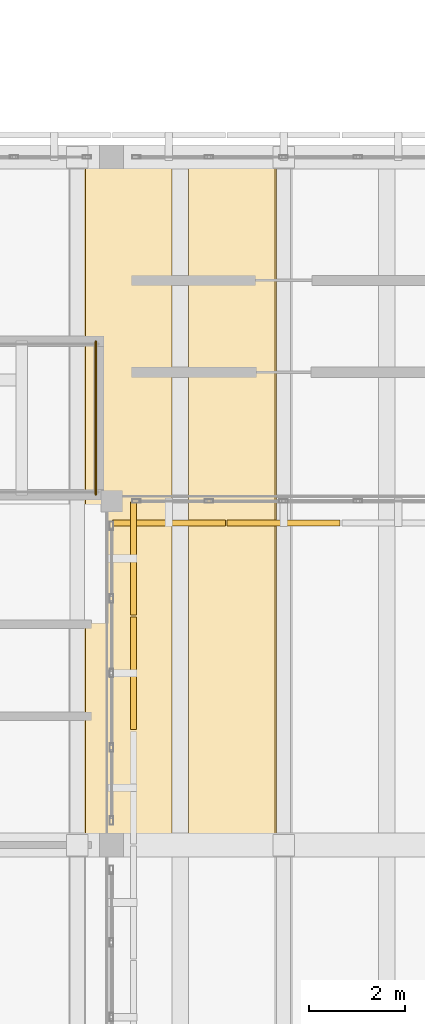
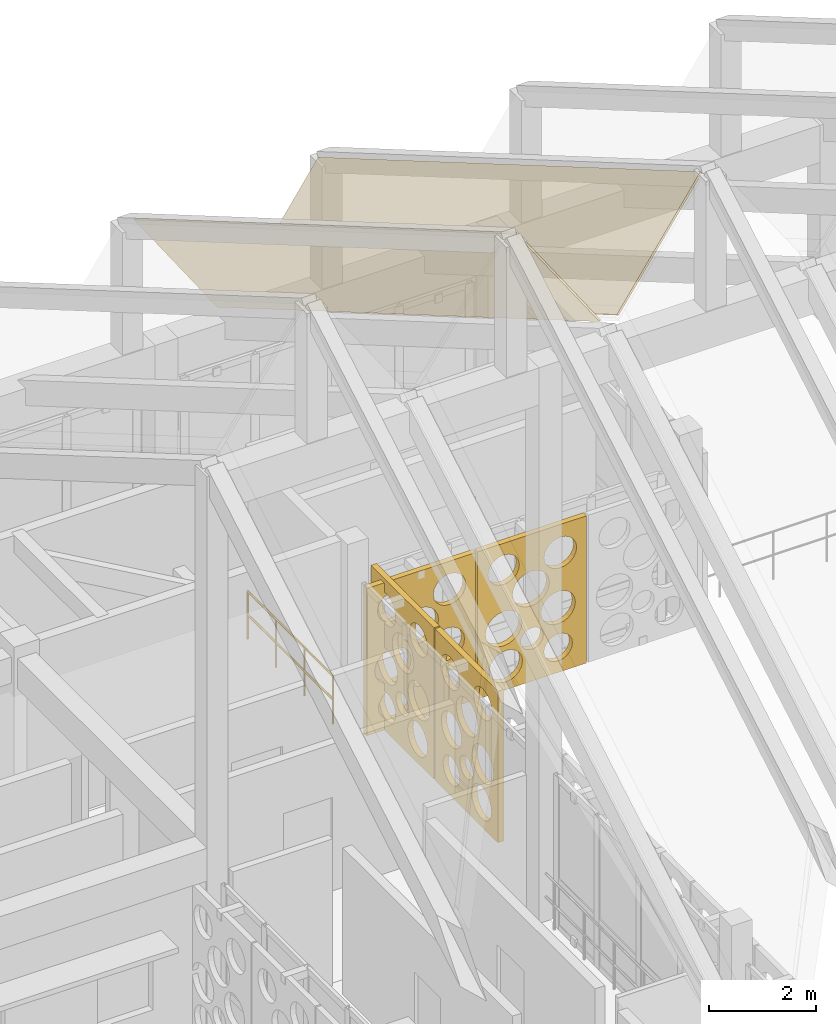
# One storey, part 157 of 171: 6 coverings, 1 railing.
"""IFC4 building model written with IfcOpenShell, lengths in metres."""

from ifc_helpers import new_model, si_unit, direction, frame, origin, origin_2d, place, context, subcontext, project, spatial, polyline, circle, outline, extrude, material, layer, layer_set, type_object, element, save


model = new_model("IFC4")

# Units and contexts
model_context = context("Model", 3, precision=1e-05, world=origin(), true_north=direction((0.0, 1.0)))
body_context = subcontext(model_context, "Body", "Model", "MODEL_VIEW")
ifc_project = project(units=[si_unit("LENGTHUNIT", "METRE"), si_unit("AREAUNIT", "SQUARE_METRE"), si_unit("VOLUMEUNIT", "CUBIC_METRE"), si_unit("PLANEANGLEUNIT", "RADIAN"), si_unit("MASSUNIT", "GRAM", prefix="KILO")], contexts=[model_context])

# Site, building, storey
site_placement = place(None, origin())
site = spatial("IfcSite", under=ifc_project, at=site_placement, CompositionType="ELEMENT")
building_placement = place(site_placement, origin())
building = spatial("IfcBuilding", under=site, at=building_placement, Name="Aldebral Square Health Centre", CompositionType="ELEMENT")
storey_placement = place(building_placement, frame((0.0, 0.0, 4.5)))
storey = spatial("IfcBuildingStorey", under=building, at=storey_placement, Name="L01", CompositionType="ELEMENT", Elevation=4.5)

# Coverings
ifc_material_1 = material(Name="Insulated mineral standing-seam roofing")
ifc_layer_1 = layer(ifc_material_1, 0.0400390625, Name="Insulated mineral standing-seam roofing")
ifc_layer_set_1 = layer_set([ifc_layer_1], Name="Insulated mineral standing-seam roofing")
covering_type_1 = type_object("IfcCoveringType", Name="COV-RF-40", PredefinedType="ROOFING", material=ifc_layer_set_1)
covering_1_placement = place(storey_placement, frame((73.264892578125, 100.800048828125, 4.735595703125), z_axis=(0.783166464322, 0.313311395424, 0.537109168288), x_axis=(-0.565586180238, 0.0, 0.824689197652)))
element("IfcCovering", 1, at=covering_1_placement, inside=storey, type_object=covering_type_1, Name="Waiting Hall folded-plate roof bay 2 NE standing-seam roofing", PredefinedType="ROOFING", context=body_context, shape_type="SweptSolid", body=[
    extrude(outline(polyline([(0.0, 0.0), (3.19989157507911, 0.0), (10.098408659831637, 15.100385570024905), (6.898517084752526, 15.100385570024907), (0.0, 0.0)])), origin(), (0.0, 0.0, -1.0), 0.0400390625),
])
covering_2_placement = place(storey_placement, frame((75.425048828125, 100.800048828125, 7.37451171875), z_axis=(-0.783125616046, 0.3133373167, 0.537153605085), x_axis=(-0.565638067086, 0.0, -0.82465361035)))
element("IfcCovering", 2, at=covering_2_placement, inside=storey, type_object=covering_type_1, Name="Waiting Hall folded-plate roof bay 3 NW standing-seam roofing", PredefinedType="ROOFING", context=body_context, shape_type="SweptSolid", body=[
    extrude(outline(polyline([(0.0, 0.0), (3.2000296639766255, -5.551115123125783e-17), (-3.6981897333421103, 15.100521563128028), (-6.898219397318735, 15.100521563128028), (0.0, 0.0)])), origin(), (0.0, 0.0, -1.0), 0.0400390625),
])
ifc_material_2 = material(Name="Cream cantera perforated stone screen", Category="masonry")
ifc_layer_2 = layer(ifc_material_2, 0.1201171875, Name="Cream cantera perforated stone screen", Category="masonry")
ifc_layer_set_2 = layer_set([ifc_layer_2], Name="Cream cantera perforated stone screen")
covering_type_2 = type_object("IfcCoveringType", Name="COV-SCR-120", PredefinedType="CLADDING", material=ifc_layer_set_2)
covering_3_placement = place(storey_placement, frame((72.4599609375, 88.820068359375, 0.0), z_axis=(0.0, 0.0, 1.0), x_axis=(0.0, 1.0, 0.0)))
element("IfcCovering", 3, at=covering_3_placement, inside=storey, type_object=covering_type_2, Name="L01 V1 circular-aperture stone screen L01-V1-09-12-E.2", PredefinedType="CLADDING", context=body_context, shape_type="SweptSolid", body=[
    extrude(outline(polyline([(0.0, 0.0), (2.35986328125, 0.0), (2.35986328125, 3.469970703125), (0.0, 3.469970703125), (0.0, 0.0)]), holes=[polyline([(0.98486328125, 0.55517578125), (0.966552734375, 0.4404296875), (0.913818359375, 0.3369140625), (0.831787109375, 0.2548828125), (0.728271484375, 0.2021484375), (0.613525390625, 0.18408203125), (0.498779296875, 0.2021484375), (0.3955078125, 0.2548828125), (0.313232421875, 0.3369140625), (0.260498046875, 0.4404296875), (0.242431640625, 0.55517578125), (0.260498046875, 0.669921875), (0.313232421875, 0.7734375), (0.3955078125, 0.85546875), (0.498779296875, 0.908203125), (0.613525390625, 0.926513671875), (0.728271484375, 0.908203125), (0.831787109375, 0.85546875), (0.913818359375, 0.7734375), (0.966552734375, 0.669921875), (0.98486328125, 0.55517578125)]), polyline([(2.059326171875, 0.58984375), (2.0439453125, 0.4931640625), (1.99951171875, 0.406005859375), (1.930419921875, 0.336669921875), (1.843017578125, 0.292236328125), (1.746337890625, 0.277099609375), (1.649658203125, 0.292236328125), (1.5625, 0.336669921875), (1.4931640625, 0.406005859375), (1.44873046875, 0.4931640625), (1.43359375, 0.58984375), (1.44873046875, 0.6865234375), (1.4931640625, 0.77392578125), (1.5625, 0.843017578125), (1.649658203125, 0.887451171875), (1.746337890625, 0.90283203125), (1.843017578125, 0.887451171875), (1.930419921875, 0.843017578125), (1.99951171875, 0.77392578125), (2.0439453125, 0.6865234375), (2.059326171875, 0.58984375)]), polyline([(0.970703125, 1.45751953125), (0.950927734375, 1.33251953125), (0.8935546875, 1.2197265625), (0.803955078125, 1.13037109375), (0.69140625, 1.072998046875), (0.56640625, 1.052978515625), (0.44140625, 1.072998046875), (0.328857421875, 1.13037109375), (0.2392578125, 1.2197265625), (0.181884765625, 1.33251953125), (0.162109375, 1.45751953125), (0.181884765625, 1.582275390625), (0.2392578125, 1.695068359375), (0.328857421875, 1.784423828125), (0.44140625, 1.841796875), (0.56640625, 1.86181640625), (0.69140625, 1.841796875), (0.803955078125, 1.784423828125), (0.8935546875, 1.695068359375), (0.950927734375, 1.582275390625), (0.970703125, 1.45751953125)]), polyline([(2.124267578125, 1.52685546875), (2.105712890625, 1.41015625), (2.052001953125, 1.3046875), (1.968505859375, 1.22119140625), (1.863037109375, 1.16748046875), (1.746337890625, 1.14892578125), (1.629638671875, 1.16748046875), (1.5244140625, 1.22119140625), (1.440673828125, 1.3046875), (1.38720703125, 1.41015625), (1.36865234375, 1.52685546875), (1.38720703125, 1.6435546875), (1.440673828125, 1.748779296875), (1.5244140625, 1.83251953125), (1.629638671875, 1.88623046875), (1.746337890625, 1.904541015625), (1.863037109375, 1.88623046875), (1.968505859375, 1.83251953125), (2.052001953125, 1.748779296875), (2.105712890625, 1.6435546875), (2.124267578125, 1.52685546875)]), polyline([(1.42431640625, 1.00634765625), (1.412353515625, 0.9306640625), (1.377685546875, 0.862548828125), (1.32373046875, 0.80859375), (1.255615234375, 0.77392578125), (1.179931640625, 0.761962890625), (1.1044921875, 0.77392578125), (1.036376953125, 0.80859375), (0.982177734375, 0.862548828125), (0.947509765625, 0.9306640625), (0.935546875, 1.00634765625), (0.947509765625, 1.081787109375), (0.982177734375, 1.14990234375), (1.036376953125, 1.2041015625), (1.1044921875, 1.23876953125), (1.179931640625, 1.250732421875), (1.255615234375, 1.23876953125), (1.32373046875, 1.2041015625), (1.377685546875, 1.14990234375), (1.412353515625, 1.081787109375), (1.42431640625, 1.00634765625)]), polyline([(1.563232421875, 2.18603515625), (1.54345703125, 2.060302734375), (1.485595703125, 1.947021484375), (1.3955078125, 1.85693359375), (1.2822265625, 1.799072265625), (1.156494140625, 1.779296875), (1.03076171875, 1.799072265625), (0.917236328125, 1.85693359375), (0.8271484375, 1.947021484375), (0.76953125, 2.060302734375), (0.74951171875, 2.18603515625), (0.76953125, 2.311767578125), (0.8271484375, 2.42529296875), (0.917236328125, 2.515380859375), (1.03076171875, 2.572998046875), (1.156494140625, 2.593017578125), (1.2822265625, 2.572998046875), (1.3955078125, 2.515380859375), (1.485595703125, 2.42529296875), (1.54345703125, 2.311767578125), (1.563232421875, 2.18603515625)]), polyline([(0.9091796875, 2.845458984375), (0.892333984375, 2.739501953125), (0.84375, 2.64404296875), (0.767822265625, 2.568115234375), (0.67236328125, 2.51953125), (0.56640625, 2.502685546875), (0.46044921875, 2.51953125), (0.364990234375, 2.568115234375), (0.2890625, 2.64404296875), (0.240478515625, 2.739501953125), (0.2236328125, 2.845458984375), (0.240478515625, 2.951416015625), (0.2890625, 3.046875), (0.364990234375, 3.12255859375), (0.46044921875, 3.17138671875), (0.56640625, 3.18798828125), (0.67236328125, 3.17138671875), (0.767822265625, 3.12255859375), (0.84375, 3.046875), (0.892333984375, 2.951416015625), (0.9091796875, 2.845458984375)]), polyline([(2.1513671875, 2.810791015625), (2.1337890625, 2.7001953125), (2.0830078125, 2.600341796875), (2.00390625, 2.521240234375), (1.904052734375, 2.470458984375), (1.793701171875, 2.452880859375), (1.68310546875, 2.470458984375), (1.583251953125, 2.521240234375), (1.504150390625, 2.600341796875), (1.453369140625, 2.7001953125), (1.435791015625, 2.810791015625), (1.453369140625, 2.921142578125), (1.504150390625, 3.02099609375), (1.583251953125, 3.10009765625), (1.68310546875, 3.15087890625), (1.793701171875, 3.16845703125), (1.904052734375, 3.15087890625), (2.00390625, 3.10009765625), (2.0830078125, 3.02099609375), (2.1337890625, 2.921142578125), (2.1513671875, 2.810791015625)])]), frame((0.0, 0.06005859375, 0.0), z_axis=(0.0, -1.0, 0.0), x_axis=(1.0, 0.0, 0.0)), (0.0, 0.0, 1.0), 0.1201171875),
])
covering_4_placement = place(storey_placement, frame((72.4599609375, 91.219970703125, 0.0), z_axis=(0.0, 0.0, 1.0), x_axis=(0.0, 1.0, 0.0)))
element("IfcCovering", 4, at=covering_4_placement, inside=storey, type_object=covering_type_2, Name="L01 V1 circular-aperture stone screen L01-V1-09-12-E.3", PredefinedType="CLADDING", context=body_context, shape_type="SweptSolid", body=[
    extrude(outline(polyline([(0.0, 0.0), (2.360107421875, 0.0), (2.360107421875, 3.469970703125), (0.0, 3.469970703125), (0.0, 0.0)]), holes=[polyline([(0.98486328125, 0.55517578125), (0.966552734375, 0.4404296875), (0.913818359375, 0.3369140625), (0.831787109375, 0.2548828125), (0.728271484375, 0.2021484375), (0.613525390625, 0.18408203125), (0.498779296875, 0.2021484375), (0.3955078125, 0.2548828125), (0.313232421875, 0.3369140625), (0.260498046875, 0.4404296875), (0.242431640625, 0.55517578125), (0.260498046875, 0.669921875), (0.313232421875, 0.7734375), (0.3955078125, 0.85546875), (0.498779296875, 0.908203125), (0.613525390625, 0.926513671875), (0.728271484375, 0.908203125), (0.831787109375, 0.85546875), (0.913818359375, 0.7734375), (0.966552734375, 0.669921875), (0.98486328125, 0.55517578125)]), polyline([(2.059326171875, 0.58984375), (2.0439453125, 0.4931640625), (1.99951171875, 0.406005859375), (1.930419921875, 0.336669921875), (1.843017578125, 0.292236328125), (1.746337890625, 0.277099609375), (1.649658203125, 0.292236328125), (1.5625, 0.336669921875), (1.4931640625, 0.406005859375), (1.44873046875, 0.4931640625), (1.43359375, 0.58984375), (1.44873046875, 0.6865234375), (1.4931640625, 0.77392578125), (1.5625, 0.843017578125), (1.649658203125, 0.887451171875), (1.746337890625, 0.90283203125), (1.843017578125, 0.887451171875), (1.930419921875, 0.843017578125), (1.99951171875, 0.77392578125), (2.0439453125, 0.6865234375), (2.059326171875, 0.58984375)]), polyline([(0.970703125, 1.45751953125), (0.950927734375, 1.33251953125), (0.8935546875, 1.2197265625), (0.803955078125, 1.13037109375), (0.69140625, 1.072998046875), (0.56640625, 1.052978515625), (0.44140625, 1.072998046875), (0.328857421875, 1.13037109375), (0.2392578125, 1.2197265625), (0.181884765625, 1.33251953125), (0.162109375, 1.45751953125), (0.181884765625, 1.582275390625), (0.2392578125, 1.695068359375), (0.328857421875, 1.784423828125), (0.44140625, 1.841796875), (0.56640625, 1.86181640625), (0.69140625, 1.841796875), (0.803955078125, 1.784423828125), (0.8935546875, 1.695068359375), (0.950927734375, 1.582275390625), (0.970703125, 1.45751953125)]), polyline([(2.124267578125, 1.52685546875), (2.105712890625, 1.41015625), (2.052001953125, 1.3046875), (1.968505859375, 1.22119140625), (1.863037109375, 1.16748046875), (1.746337890625, 1.14892578125), (1.629638671875, 1.16748046875), (1.5244140625, 1.22119140625), (1.440673828125, 1.3046875), (1.38720703125, 1.41015625), (1.36865234375, 1.52685546875), (1.38720703125, 1.6435546875), (1.440673828125, 1.748779296875), (1.5244140625, 1.83251953125), (1.629638671875, 1.88623046875), (1.746337890625, 1.904541015625), (1.863037109375, 1.88623046875), (1.968505859375, 1.83251953125), (2.052001953125, 1.748779296875), (2.105712890625, 1.6435546875), (2.124267578125, 1.52685546875)]), polyline([(1.42431640625, 1.00634765625), (1.412353515625, 0.9306640625), (1.377685546875, 0.862548828125), (1.32373046875, 0.80859375), (1.255615234375, 0.77392578125), (1.179931640625, 0.761962890625), (1.1044921875, 0.77392578125), (1.036376953125, 0.80859375), (0.982177734375, 0.862548828125), (0.947509765625, 0.9306640625), (0.935546875, 1.00634765625), (0.947509765625, 1.081787109375), (0.982177734375, 1.14990234375), (1.036376953125, 1.2041015625), (1.1044921875, 1.23876953125), (1.179931640625, 1.250732421875), (1.255615234375, 1.23876953125), (1.32373046875, 1.2041015625), (1.377685546875, 1.14990234375), (1.412353515625, 1.081787109375), (1.42431640625, 1.00634765625)]), polyline([(1.563232421875, 2.18603515625), (1.54345703125, 2.060302734375), (1.485595703125, 1.947021484375), (1.3955078125, 1.85693359375), (1.2822265625, 1.799072265625), (1.156494140625, 1.779296875), (1.03076171875, 1.799072265625), (0.917236328125, 1.85693359375), (0.8271484375, 1.947021484375), (0.76953125, 2.060302734375), (0.74951171875, 2.18603515625), (0.76953125, 2.311767578125), (0.8271484375, 2.42529296875), (0.917236328125, 2.515380859375), (1.03076171875, 2.572998046875), (1.156494140625, 2.593017578125), (1.2822265625, 2.572998046875), (1.3955078125, 2.515380859375), (1.485595703125, 2.42529296875), (1.54345703125, 2.311767578125), (1.563232421875, 2.18603515625)]), polyline([(0.9091796875, 2.845458984375), (0.892333984375, 2.739501953125), (0.84375, 2.64404296875), (0.767822265625, 2.568115234375), (0.67236328125, 2.51953125), (0.56640625, 2.502685546875), (0.46044921875, 2.51953125), (0.364990234375, 2.568115234375), (0.2890625, 2.64404296875), (0.240478515625, 2.739501953125), (0.2236328125, 2.845458984375), (0.240478515625, 2.951416015625), (0.2890625, 3.046875), (0.364990234375, 3.12255859375), (0.46044921875, 3.17138671875), (0.56640625, 3.18798828125), (0.67236328125, 3.17138671875), (0.767822265625, 3.12255859375), (0.84375, 3.046875), (0.892333984375, 2.951416015625), (0.9091796875, 2.845458984375)]), polyline([(2.1513671875, 2.810791015625), (2.1337890625, 2.7001953125), (2.0830078125, 2.600341796875), (2.00390625, 2.521240234375), (1.904052734375, 2.470458984375), (1.793701171875, 2.452880859375), (1.68310546875, 2.470458984375), (1.583251953125, 2.521240234375), (1.504150390625, 2.600341796875), (1.453369140625, 2.7001953125), (1.435791015625, 2.810791015625), (1.453369140625, 2.921142578125), (1.504150390625, 3.02099609375), (1.583251953125, 3.10009765625), (1.68310546875, 3.15087890625), (1.793701171875, 3.16845703125), (1.904052734375, 3.15087890625), (2.00390625, 3.10009765625), (2.0830078125, 3.02099609375), (2.1337890625, 2.921142578125), (2.1513671875, 2.810791015625)])]), frame((0.0, 0.06005859375, 0.0), z_axis=(0.0, -1.0, 0.0), x_axis=(1.0, 0.0, 0.0)), (0.0, 0.0, 1.0), 0.1201171875),
])
covering_5_placement = place(storey_placement, frame((72.02001953125, 93.139892578125, 0.0), z_axis=(0.0, 0.0, 1.0), x_axis=(1.0, 0.0, 0.0)))
element("IfcCovering", 5, at=covering_5_placement, inside=storey, type_object=covering_type_2, Name="L01 V1 circular-aperture stone screen L01-V1-10-13-S.1", PredefinedType="CLADDING", context=body_context, shape_type="SweptSolid", body=[
    extrude(outline(polyline([(0.0, 0.0), (2.35986328125, 0.0), (2.35986328125, 3.3701171875), (0.0, 3.3701171875), (0.0, 0.0)]), holes=[polyline([(0.973388671875, 0.539306640625), (0.955810546875, 0.427978515625), (0.90478515625, 0.32763671875), (0.8251953125, 0.248046875), (0.724853515625, 0.197021484375), (0.613525390625, 0.17919921875), (0.50244140625, 0.197021484375), (0.402099609375, 0.248046875), (0.322509765625, 0.32763671875), (0.271240234375, 0.427978515625), (0.253662109375, 0.539306640625), (0.271240234375, 0.650390625), (0.322509765625, 0.750732421875), (0.402099609375, 0.830322265625), (0.50244140625, 0.881591796875), (0.613525390625, 0.899169921875), (0.724853515625, 0.881591796875), (0.8251953125, 0.830322265625), (0.90478515625, 0.750732421875), (0.955810546875, 0.650390625), (0.973388671875, 0.539306640625)]), polyline([(2.0546875, 0.572998046875), (2.039794921875, 0.4775390625), (1.995849609375, 0.3916015625), (1.927734375, 0.323486328125), (1.841796875, 0.279541015625), (1.746337890625, 0.264404296875), (1.651123046875, 0.279541015625), (1.565185546875, 0.323486328125), (1.496826171875, 0.3916015625), (1.453125, 0.4775390625), (1.43798828125, 0.572998046875), (1.453125, 0.668212890625), (1.496826171875, 0.754150390625), (1.565185546875, 0.822509765625), (1.651123046875, 0.8662109375), (1.746337890625, 0.88134765625), (1.841796875, 0.8662109375), (1.927734375, 0.822509765625), (1.995849609375, 0.754150390625), (2.039794921875, 0.668212890625), (2.0546875, 0.572998046875)]), polyline([(0.9619140625, 1.415283203125), (0.942626953125, 1.293212890625), (0.886474609375, 1.182861328125), (0.798828125, 1.095458984375), (0.688720703125, 1.039306640625), (0.56640625, 1.02001953125), (0.444091796875, 1.039306640625), (0.333984375, 1.095458984375), (0.246337890625, 1.182861328125), (0.190185546875, 1.293212890625), (0.1708984375, 1.415283203125), (0.190185546875, 1.53759765625), (0.246337890625, 1.64794921875), (0.333984375, 1.7353515625), (0.444091796875, 1.79150390625), (0.56640625, 1.810791015625), (0.688720703125, 1.79150390625), (0.798828125, 1.7353515625), (0.886474609375, 1.64794921875), (0.942626953125, 1.53759765625), (0.9619140625, 1.415283203125)]), polyline([(2.117919921875, 1.48291015625), (2.099853515625, 1.367919921875), (2.047119140625, 1.264404296875), (1.96484375, 1.18212890625), (1.861328125, 1.12939453125), (1.746337890625, 1.111083984375), (1.631591796875, 1.12939453125), (1.528076171875, 1.18212890625), (1.44580078125, 1.264404296875), (1.39306640625, 1.367919921875), (1.374755859375, 1.48291015625), (1.39306640625, 1.59765625), (1.44580078125, 1.701171875), (1.528076171875, 1.783447265625), (1.631591796875, 1.836181640625), (1.746337890625, 1.8544921875), (1.861328125, 1.836181640625), (1.96484375, 1.783447265625), (2.047119140625, 1.701171875), (2.099853515625, 1.59765625), (2.117919921875, 1.48291015625)]), polyline([(1.4248046875, 0.977294921875), (1.412841796875, 0.901611328125), (1.3779296875, 0.83349609375), (1.32373046875, 0.779296875), (1.255615234375, 0.74462890625), (1.179931640625, 0.732666015625), (1.1044921875, 0.74462890625), (1.0361328125, 0.779296875), (0.98193359375, 0.83349609375), (0.947265625, 0.901611328125), (0.935302734375, 0.977294921875), (0.947265625, 1.052978515625), (0.98193359375, 1.12109375), (1.0361328125, 1.17529296875), (1.1044921875, 1.2099609375), (1.179931640625, 1.221923828125), (1.255615234375, 1.2099609375), (1.32373046875, 1.17529296875), (1.3779296875, 1.12109375), (1.412841796875, 1.052978515625), (1.4248046875, 0.977294921875)]), polyline([(1.555419921875, 2.123046875), (1.535888671875, 1.999755859375), (1.479248046875, 1.888427734375), (1.390869140625, 1.80029296875), (1.27978515625, 1.74365234375), (1.156494140625, 1.72412109375), (1.032958984375, 1.74365234375), (0.921875, 1.80029296875), (0.83349609375, 1.888427734375), (0.77685546875, 1.999755859375), (0.75732421875, 2.123046875), (0.77685546875, 2.246337890625), (0.83349609375, 2.357666015625), (0.921875, 2.446044921875), (1.032958984375, 2.502685546875), (1.156494140625, 2.522216796875), (1.27978515625, 2.502685546875), (1.390869140625, 2.446044921875), (1.479248046875, 2.357666015625), (1.535888671875, 2.246337890625), (1.555419921875, 2.123046875)]), polyline([(0.904296875, 2.763427734375), (0.8876953125, 2.658935546875), (0.839599609375, 2.56494140625), (0.764892578125, 2.490234375), (0.6708984375, 2.442138671875), (0.56640625, 2.425537109375), (0.4619140625, 2.442138671875), (0.367919921875, 2.490234375), (0.293212890625, 2.56494140625), (0.2451171875, 2.658935546875), (0.228515625, 2.763427734375), (0.2451171875, 2.86767578125), (0.293212890625, 2.9619140625), (0.367919921875, 3.03662109375), (0.4619140625, 3.084716796875), (0.56640625, 3.101318359375), (0.6708984375, 3.084716796875), (0.764892578125, 3.03662109375), (0.839599609375, 2.9619140625), (0.8876953125, 2.86767578125), (0.904296875, 2.763427734375)]), polyline([(2.14599609375, 2.729736328125), (2.12890625, 2.620849609375), (2.078857421875, 2.5224609375), (2.000732421875, 2.444580078125), (1.902587890625, 2.39453125), (1.793701171875, 2.377197265625), (1.6845703125, 2.39453125), (1.58642578125, 2.444580078125), (1.50830078125, 2.5224609375), (1.458251953125, 2.620849609375), (1.441162109375, 2.729736328125), (1.458251953125, 2.838623046875), (1.50830078125, 2.93701171875), (1.58642578125, 3.014892578125), (1.6845703125, 3.06494140625), (1.793701171875, 3.082275390625), (1.902587890625, 3.06494140625), (2.000732421875, 3.014892578125), (2.078857421875, 2.93701171875), (2.12890625, 2.838623046875), (2.14599609375, 2.729736328125)])]), frame((0.0, 0.06005859375, 0.0), z_axis=(0.0, -1.0, 0.0), x_axis=(1.0, 0.0, 0.0)), (0.0, 0.0, 1.0), 0.1201171875),
])
covering_6_placement = place(storey_placement, frame((74.419921875, 93.139892578125, 0.0), z_axis=(0.0, 0.0, 1.0), x_axis=(1.0, 0.0, 0.0)))
element("IfcCovering", 6, at=covering_6_placement, inside=storey, type_object=covering_type_2, Name="L01 V1 circular-aperture stone screen L01-V1-10-13-S.2", PredefinedType="CLADDING", context=body_context, shape_type="SweptSolid", body=[
    extrude(outline(polyline([(0.0, 0.0), (2.360107421875, 0.0), (2.360107421875, 3.3701171875), (0.0, 3.3701171875), (0.0, 0.0)]), holes=[polyline([(0.973388671875, 0.539306640625), (0.955810546875, 0.427978515625), (0.90478515625, 0.32763671875), (0.8251953125, 0.248046875), (0.724853515625, 0.197021484375), (0.613525390625, 0.17919921875), (0.50244140625, 0.197021484375), (0.402099609375, 0.248046875), (0.322509765625, 0.32763671875), (0.271240234375, 0.427978515625), (0.253662109375, 0.539306640625), (0.271240234375, 0.650390625), (0.322509765625, 0.750732421875), (0.402099609375, 0.830322265625), (0.50244140625, 0.881591796875), (0.613525390625, 0.899169921875), (0.724853515625, 0.881591796875), (0.8251953125, 0.830322265625), (0.90478515625, 0.750732421875), (0.955810546875, 0.650390625), (0.973388671875, 0.539306640625)]), polyline([(2.0546875, 0.572998046875), (2.039794921875, 0.4775390625), (1.995849609375, 0.3916015625), (1.927734375, 0.323486328125), (1.841796875, 0.279541015625), (1.746337890625, 0.264404296875), (1.651123046875, 0.279541015625), (1.565185546875, 0.323486328125), (1.496826171875, 0.3916015625), (1.453125, 0.4775390625), (1.43798828125, 0.572998046875), (1.453125, 0.668212890625), (1.496826171875, 0.754150390625), (1.565185546875, 0.822509765625), (1.651123046875, 0.8662109375), (1.746337890625, 0.88134765625), (1.841796875, 0.8662109375), (1.927734375, 0.822509765625), (1.995849609375, 0.754150390625), (2.039794921875, 0.668212890625), (2.0546875, 0.572998046875)]), polyline([(0.9619140625, 1.415283203125), (0.942626953125, 1.293212890625), (0.886474609375, 1.182861328125), (0.798828125, 1.095458984375), (0.688720703125, 1.039306640625), (0.56640625, 1.02001953125), (0.444091796875, 1.039306640625), (0.333984375, 1.095458984375), (0.246337890625, 1.182861328125), (0.190185546875, 1.293212890625), (0.1708984375, 1.415283203125), (0.190185546875, 1.53759765625), (0.246337890625, 1.64794921875), (0.333984375, 1.7353515625), (0.444091796875, 1.79150390625), (0.56640625, 1.810791015625), (0.688720703125, 1.79150390625), (0.798828125, 1.7353515625), (0.886474609375, 1.64794921875), (0.942626953125, 1.53759765625), (0.9619140625, 1.415283203125)]), polyline([(2.117919921875, 1.48291015625), (2.099853515625, 1.367919921875), (2.047119140625, 1.264404296875), (1.96484375, 1.18212890625), (1.861328125, 1.12939453125), (1.746337890625, 1.111083984375), (1.631591796875, 1.12939453125), (1.528076171875, 1.18212890625), (1.44580078125, 1.264404296875), (1.39306640625, 1.367919921875), (1.374755859375, 1.48291015625), (1.39306640625, 1.59765625), (1.44580078125, 1.701171875), (1.528076171875, 1.783447265625), (1.631591796875, 1.836181640625), (1.746337890625, 1.8544921875), (1.861328125, 1.836181640625), (1.96484375, 1.783447265625), (2.047119140625, 1.701171875), (2.099853515625, 1.59765625), (2.117919921875, 1.48291015625)]), polyline([(1.4248046875, 0.977294921875), (1.412841796875, 0.901611328125), (1.3779296875, 0.83349609375), (1.32373046875, 0.779296875), (1.255615234375, 0.74462890625), (1.179931640625, 0.732666015625), (1.1044921875, 0.74462890625), (1.0361328125, 0.779296875), (0.98193359375, 0.83349609375), (0.947265625, 0.901611328125), (0.935302734375, 0.977294921875), (0.947265625, 1.052978515625), (0.98193359375, 1.12109375), (1.0361328125, 1.17529296875), (1.1044921875, 1.2099609375), (1.179931640625, 1.221923828125), (1.255615234375, 1.2099609375), (1.32373046875, 1.17529296875), (1.3779296875, 1.12109375), (1.412841796875, 1.052978515625), (1.4248046875, 0.977294921875)]), polyline([(1.555419921875, 2.123046875), (1.535888671875, 1.999755859375), (1.479248046875, 1.888427734375), (1.390869140625, 1.80029296875), (1.27978515625, 1.74365234375), (1.156494140625, 1.72412109375), (1.032958984375, 1.74365234375), (0.921875, 1.80029296875), (0.83349609375, 1.888427734375), (0.77685546875, 1.999755859375), (0.75732421875, 2.123046875), (0.77685546875, 2.246337890625), (0.83349609375, 2.357666015625), (0.921875, 2.446044921875), (1.032958984375, 2.502685546875), (1.156494140625, 2.522216796875), (1.27978515625, 2.502685546875), (1.390869140625, 2.446044921875), (1.479248046875, 2.357666015625), (1.535888671875, 2.246337890625), (1.555419921875, 2.123046875)]), polyline([(0.904296875, 2.763427734375), (0.8876953125, 2.658935546875), (0.839599609375, 2.56494140625), (0.764892578125, 2.490234375), (0.6708984375, 2.442138671875), (0.56640625, 2.425537109375), (0.4619140625, 2.442138671875), (0.367919921875, 2.490234375), (0.293212890625, 2.56494140625), (0.2451171875, 2.658935546875), (0.228515625, 2.763427734375), (0.2451171875, 2.86767578125), (0.293212890625, 2.9619140625), (0.367919921875, 3.03662109375), (0.4619140625, 3.084716796875), (0.56640625, 3.101318359375), (0.6708984375, 3.084716796875), (0.764892578125, 3.03662109375), (0.839599609375, 2.9619140625), (0.8876953125, 2.86767578125), (0.904296875, 2.763427734375)]), polyline([(2.14599609375, 2.729736328125), (2.12890625, 2.620849609375), (2.078857421875, 2.5224609375), (2.000732421875, 2.444580078125), (1.902587890625, 2.39453125), (1.793701171875, 2.377197265625), (1.6845703125, 2.39453125), (1.58642578125, 2.444580078125), (1.50830078125, 2.5224609375), (1.458251953125, 2.620849609375), (1.441162109375, 2.729736328125), (1.458251953125, 2.838623046875), (1.50830078125, 2.93701171875), (1.58642578125, 3.014892578125), (1.6845703125, 3.06494140625), (1.793701171875, 3.082275390625), (1.902587890625, 3.06494140625), (2.000732421875, 3.014892578125), (2.078857421875, 2.93701171875), (2.12890625, 2.838623046875), (2.14599609375, 2.729736328125)])]), frame((0.0, 0.06005859375, 0.0), z_axis=(0.0, -1.0, 0.0), x_axis=(1.0, 0.0, 0.0)), (0.0, 0.0, 1.0), 0.1201171875),
])

# Railing
ifc_material_3 = material(Name="Painted steel S355JR stair guard", Category="steel")
railing_type = type_object("IfcRailingType", Name="RL-ST-GRD", PredefinedType="GUARDRAIL", material=ifc_material_3)
railing_placement = place(storey_placement, frame((71.669921875, 93.739990234375, 0.0)))
element("IfcRailing", 7, at=railing_placement, inside=storey, type_object=railing_type, Name="L01 ST-07 top well guard 4", PredefinedType="GUARDRAIL", context=body_context, shape_type="SweptSolid", body=[
    extrude(circle(Radius=0.02392578125, at=origin_2d()), frame((0.0, 0.0, 1.09619140625), z_axis=(0.0, 1.0, 0.0), x_axis=(-1.0, 0.0, 0.0)), (0.0, 0.0, 1.0), 3.199951171875),
    extrude(circle(Radius=0.02392578125, at=origin_2d()), frame((0.0, 0.0, 0.56005859375), z_axis=(0.0, 1.0, 0.0), x_axis=(-1.0, 0.0, 0.0)), (0.0, 0.0, 1.0), 3.199951171875),
    extrude(circle(Radius=0.02099609375, at=origin_2d()), origin(), (0.0, 0.0, 1.0), 1.072021484375),
    extrude(circle(Radius=0.02099609375, at=origin_2d()), frame((0.0, 1.066650390625, 0.0)), (0.0, 0.0, 1.0), 1.072021484375),
    extrude(circle(Radius=0.02099609375, at=origin_2d()), frame((0.0, 2.13330078125, 0.0)), (0.0, 0.0, 1.0), 1.072021484375),
    extrude(circle(Radius=0.02099609375, at=origin_2d()), frame((0.0, 3.199951171875, 0.0)), (0.0, 0.0, 1.0), 1.072021484375),
])

save(model, "model.ifc")
